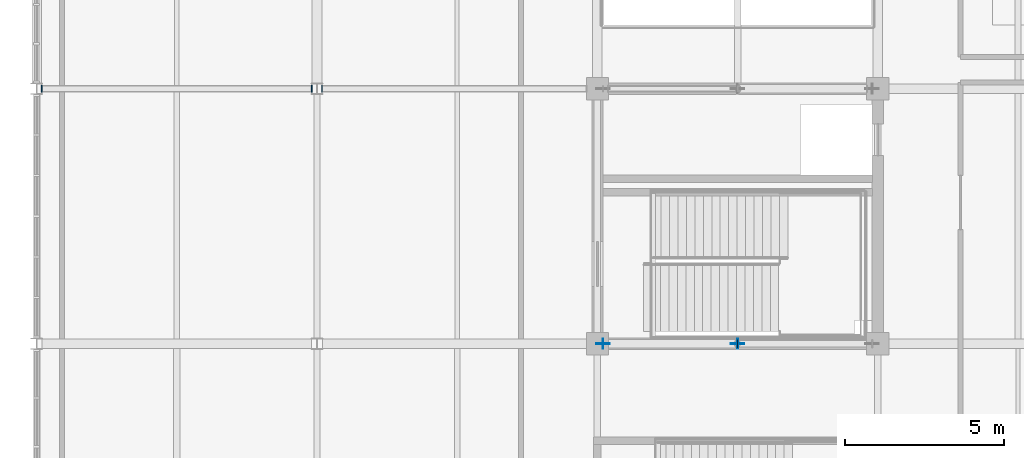
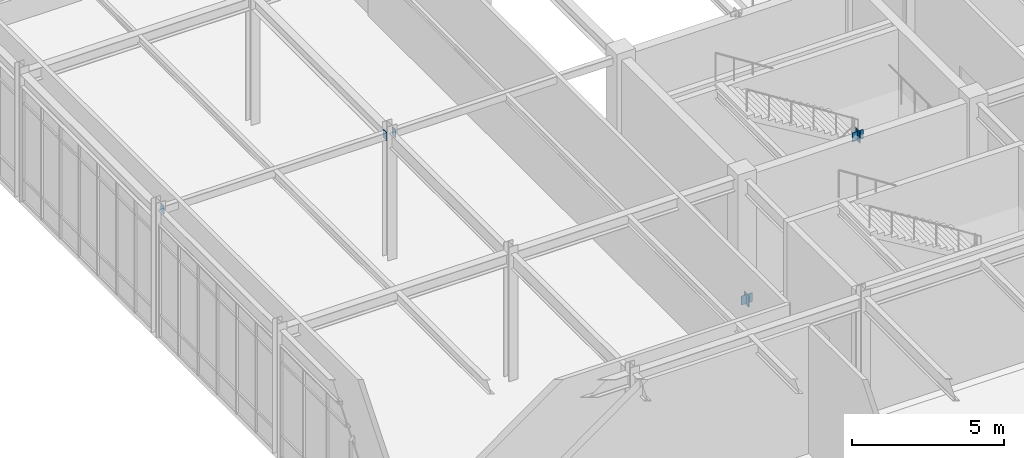
# One storey, part 134 of 184: 8 plates.
"""IFC4 building model written with IfcOpenShell, lengths in metres."""

from ifc_helpers import new_model, si_unit, direction, frame, origin, origin_2d, place, context, subcontext, project, spatial, rectangle, extrude, material, layer, layer_set, type_object, element, save


model = new_model("IFC4")

# Units and contexts
model_context = context("Model", 3, precision=1e-05, world=origin(), true_north=direction((0.0, 1.0)))
body_context = subcontext(model_context, "Body", "Model", "MODEL_VIEW")
ifc_project = project(units=[si_unit("LENGTHUNIT", "METRE"), si_unit("AREAUNIT", "SQUARE_METRE"), si_unit("VOLUMEUNIT", "CUBIC_METRE"), si_unit("PLANEANGLEUNIT", "RADIAN"), si_unit("MASSUNIT", "GRAM", prefix="KILO")], contexts=[model_context])

# Site, building, storey
site_placement = place(None, origin())
site = spatial("IfcSite", under=ifc_project, at=site_placement, CompositionType="ELEMENT")
building_placement = place(site_placement, origin())
building = spatial("IfcBuilding", under=site, at=building_placement, Name="Zhaolan Boulevard Law Courts", CompositionType="ELEMENT")
storey_placement = place(building_placement, frame((0.0, 0.0, 5.39990234375)))
storey = spatial("IfcBuildingStorey", under=building, at=storey_placement, Name="L01", CompositionType="ELEMENT", Elevation=5.39990234375)

# Plates
ifc_material_1 = material(Name="Structural steel Q355B", Category="steel")
ifc_layer_1 = layer(ifc_material_1, 0.02392578125)
ifc_layer_set_1 = layer_set([ifc_layer_1])
plate_type_1 = type_object("IfcPlateType", Name="BRACE GUSSET PLATE 24", PredefinedType="SHEET", material=ifc_layer_set_1)
for number, where, z_axis, x_axis, name in (
    (1, (17.780029296875, 86.0, -0.14990234375), (0.0, 0.0, 1.0), (1.0, 0.0, 0.0), "Brace Gusset Connection Plate GP-L1-L01-SA1"),
    (2, (22.0, 86.0, 4.93994140625), (0.0, 0.0, 1.0), (1.0, 0.0, 0.0), "Brace Gusset Connection Plate GP-L1-L01-SAPX"),
):
    element("IfcPlate", number, at=place(storey_placement, frame(where, z_axis=z_axis, x_axis=x_axis)), inside=storey, type_object=plate_type_1, Name=name, PredefinedType="SHEET", context=body_context, shape_type="SweptSolid", body=[
        extrude(rectangle(XDim=0.419921875, YDim=0.02392578125, at=origin_2d()), origin(), (0.0, 0.0, 1.0), 0.360107421875),
    ])
ifc_material_2 = material(Name="Structural steel Q355B", Category="steel")
ifc_layer_2 = layer(ifc_material_2, 0.02001953125)
ifc_layer_set_2 = layer_set([ifc_layer_2])
plate_type_2 = type_object("IfcPlateType", Name="END CAP PLATE 20", PredefinedType="SHEET", material=ifc_layer_set_2)
for number, where, z_axis, x_axis, name in (
    (3, (0.1630859375, 94.0, 4.802978515625), (0.0, 0.0, 1.0), (1.0, 0.0, 0.0), "Hollow Section End-Cap Plate ECP-0819"),
    (4, (8.636962890625, 94.0, 4.802978515625), (0.0, 0.0, 1.0), (1.0, 0.0, 0.0), "Hollow Section End-Cap Plate ECP-0820"),
    (5, (8.962890625, 94.0, 4.802978515625), (0.0, 0.0, 1.0), (1.0, 0.0, 0.0), "Hollow Section End-Cap Plate ECP-0821"),
):
    element("IfcPlate", number, at=place(storey_placement, frame(where, z_axis=z_axis, x_axis=x_axis)), inside=storey, type_object=plate_type_2, Name=name, PredefinedType="SHEET", context=body_context, shape_type="SweptSolid", body=[
        extrude(rectangle(XDim=0.02001953125, YDim=0.22998046875, at=origin_2d()), origin(), (0.0, 0.0, 1.0), 0.330078125),
    ])
for number, where, z_axis, x_axis, name in (
    (6, (17.77490234375, 86.0, -0.213623046875), (0.0, 0.0, 1.0), (1.0, 0.0, 0.0), "Hollow Section End-Cap Plate ECP-1355"),
    (7, (22.005126953125, 86.0, 4.888671875), (0.0, 0.0, 1.0), (1.0, 0.0, 0.0), "Hollow Section End-Cap Plate ECP-1356"),
):
    element("IfcPlate", number, at=place(storey_placement, frame(where, z_axis=z_axis, x_axis=x_axis)), inside=storey, type_object=plate_type_2, Name=name, PredefinedType="SHEET", context=body_context, shape_type="SweptSolid", body=[
        extrude(rectangle(XDim=0.02001953125, YDim=0.302978515625, at=origin_2d()), origin(), (0.0, 0.0, 1.0), 0.47509765625),
    ])
plate_placement = place(storey_placement, frame((21.994873046875, 86.0, 4.93115234375), z_axis=(0.0, 0.0, 1.0), x_axis=(-1.0, 0.0, 0.0)))
element("IfcPlate", 8, at=plate_placement, inside=storey, type_object=plate_type_2, Name="Hollow Section End-Cap Plate ECP-1358", PredefinedType="SHEET", context=body_context, shape_type="SweptSolid", body=[
    extrude(rectangle(XDim=0.02001953125, YDim=0.2490234375, at=origin_2d()), origin(), (0.0, 0.0, 1.0), 0.389892578125),
])

save(model, "model.ifc")
